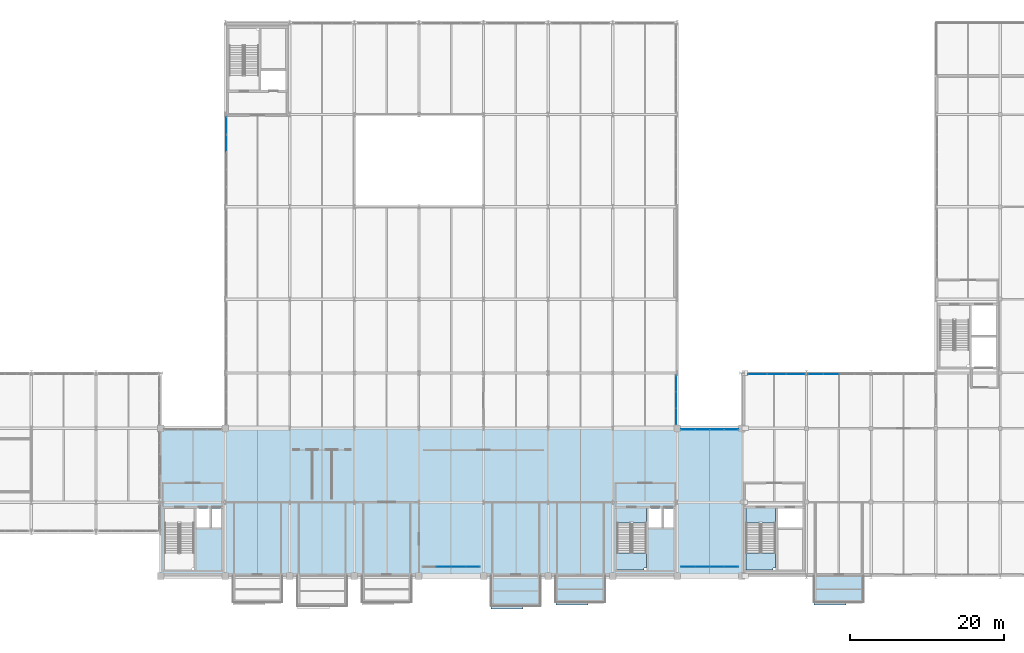
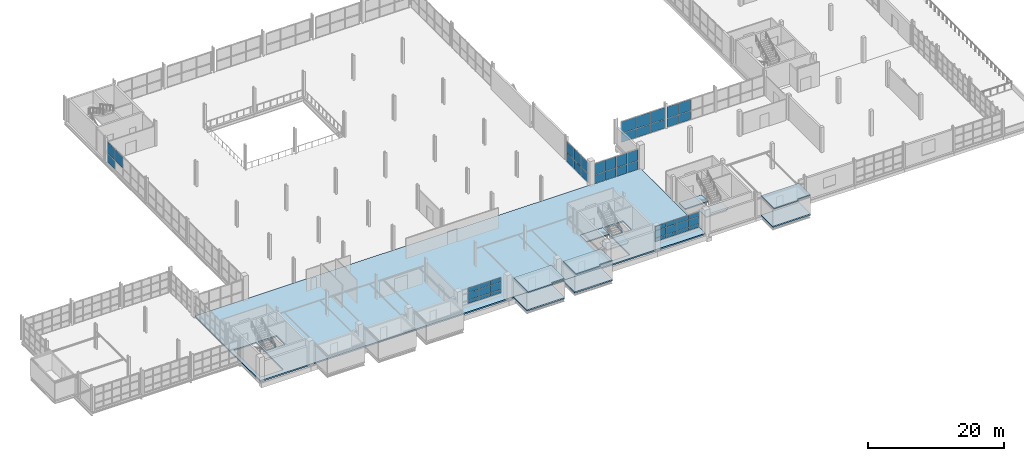
# One storey, part 88 of 109: 48 plates, 11 slabs, 9 elements without a shape of their own.
"""IFC4 building model written with IfcOpenShell, lengths in metres."""

from ifc_helpers import new_model, si_unit, direction, frame, origin, origin_2d, place, context, subcontext, project, spatial, polyline, rectangle, outline, extrude, material, layer, layer_set, type_object, element, aggregate, save


model = new_model("IFC4")

# Units and contexts
model_context = context("Model", 3, precision=1e-05, world=origin(), true_north=direction((0.0, 1.0)))
body_context = subcontext(model_context, "Body", "Model", "MODEL_VIEW")
ifc_project = project(units=[si_unit("LENGTHUNIT", "METRE"), si_unit("AREAUNIT", "SQUARE_METRE"), si_unit("VOLUMEUNIT", "CUBIC_METRE"), si_unit("PLANEANGLEUNIT", "RADIAN"), si_unit("MASSUNIT", "GRAM", prefix="KILO")], contexts=[model_context])

# Site, building, storey
site_placement = place(None, origin())
site = spatial("IfcSite", under=ifc_project, at=site_placement, CompositionType="ELEMENT")
building_placement = place(site_placement, origin())
building = spatial("IfcBuilding", under=site, at=building_placement, Name="Veltarok Museum of Natural Sciences", CompositionType="ELEMENT")
storey_placement = place(building_placement, frame((0.0, 0.0, 17.39990234375)))
storey = spatial("IfcBuildingStorey", under=building, at=storey_placement, Name="L03", CompositionType="ELEMENT", Elevation=17.39990234375)

# Slabs
ifc_material_1 = material(Name="Concrete C35/45", Category="concrete")
ifc_layer_1 = layer(ifc_material_1, 0.199951171875)
ifc_layer_set_1 = layer_set([ifc_layer_1], Name="Concrete C35/45")
slab_type_1 = type_object("IfcSlabType", Name="Cantilevered Cabinet Box Roof Slab 200", PredefinedType="ROOF", material=ifc_layer_set_1)
slab_1_placement = place(storey_placement, frame((0.0, 0.0, 3.25)))
element("IfcSlab", 1, at=slab_1_placement, inside=storey, type_object=slab_type_1, Name="Cabinet Box Roof Slab DB-16", PredefinedType="ROOF", context=body_context, shape_type="SweptSolid", body=[
    extrude(outline(polyline([(74.60009765625, -4.280029296875), (78.760009765625, -4.280029296875), (78.760009765625, -3.89990234375), (81.0, -3.89990234375), (81.0, 0.0), (74.60009765625, 0.0), (74.60009765625, -4.280029296875)])), origin(), (0.0, 0.0, 1.0), 0.2001953125),
])
slab_2_placement = place(storey_placement, frame((0.0, 0.0, 3.25)))
element("IfcSlab", 2, at=slab_2_placement, inside=storey, type_object=slab_type_1, Name="Cabinet Box Roof Slab DB-17", PredefinedType="ROOF", context=body_context, shape_type="SweptSolid", body=[
    extrude(outline(polyline([(83.0, -3.780029296875), (87.159912109375, -3.780029296875), (87.159912109375, -3.39990234375), (89.39990234375, -3.39990234375), (89.39990234375, 0.0), (83.0, 0.0), (83.0, -3.780029296875)])), origin(), (0.0, 0.0, 1.0), 0.2001953125),
])
slab_3_placement = place(storey_placement, frame((0.0, 0.0, 3.25)))
element("IfcSlab", 3, at=slab_3_placement, inside=storey, type_object=slab_type_1, Name="Cabinet Box Roof Slab DB-18", PredefinedType="ROOF", context=body_context, shape_type="SweptSolid", body=[
    extrude(outline(polyline([(116.60009765625, -3.780029296875), (120.760009765625, -3.780029296875), (120.760009765625, -3.39990234375), (123.0, -3.39990234375), (123.0, 0.0), (116.60009765625, 0.0), (116.60009765625, -3.780029296875)])), origin(), (0.0, 0.0, 1.0), 0.2001953125),
])
ifc_layer_2 = layer(ifc_material_1, 0.199951171875)
ifc_layer_set_2 = layer_set([ifc_layer_2], Name="Concrete C35/45")
slab_type_2 = type_object("IfcSlabType", Name="Protected Stair Intermediate Landing Slab 200", PredefinedType="LANDING", material=ifc_layer_set_2)
slab_4_placement = place(storey_placement, frame((0.0, 0.0, -0.199951171875)))
element("IfcSlab", 4, at=slab_4_placement, inside=storey, type_object=slab_type_2, Name="Stairwell Floor Landing ST-02 L03", PredefinedType="LANDING", context=body_context, shape_type="SweptSolid", body=[
    extrude(outline(polyline([(90.909912109375, 6.89990234375), (94.7900390625, 6.89990234375), (94.7900390625, 8.820068359375), (90.909912109375, 8.820068359375), (90.909912109375, 6.89990234375)])), origin(), (0.0, 0.0, 1.0), 0.199951171875),
])

# Stair, slab
ifc_material_2 = material(Name="Precast concrete C40/50", Category="concrete")
stair_type = type_object("IfcStairType", Name="Protected Half-Turn Escape Stair H4500", PredefinedType="HALF_TURN_STAIR", material=ifc_material_2)
stair_1_placement = place(storey_placement, origin())
stair_1 = element("IfcStair", 5, at=stair_1_placement, inside=storey, type_object=stair_type, Name="Protected Escape Stair ST-02-L03", PredefinedType="HALF_TURN_STAIR")
slab_5_placement = place(storey_placement, frame((0.0, 0.0, 2.050048828125)))
slab_5 = element("IfcSlab", 6, at=slab_5_placement, type_object=slab_type_2, Name="ST-02-L03 landing 1", PredefinedType="LANDING", context=body_context, shape_type="SweptSolid", body=[
    extrude(outline(polyline([(90.909912109375, 0.780029296875), (94.469970703125, 0.780029296875), (94.469970703125, 1.02001953125), (94.7900390625, 1.02001953125), (94.7900390625, 3.0), (90.909912109375, 3.0), (90.909912109375, 0.780029296875)])), origin(), (0.0, 0.0, 1.0), 0.199951171875),
])
aggregate(stair_1, [slab_5])

# Slab
slab_6_placement = place(storey_placement, frame((0.0, 0.0, -0.199951171875)))
element("IfcSlab", 7, at=slab_6_placement, inside=storey, type_object=slab_type_2, Name="Stairwell Floor Landing ST-04 L03", PredefinedType="LANDING", context=body_context, shape_type="SweptSolid", body=[
    extrude(outline(polyline([(107.7099609375, 6.89990234375), (111.590087890625, 6.89990234375), (111.590087890625, 8.820068359375), (107.7099609375, 8.820068359375), (107.7099609375, 6.89990234375)])), origin(), (0.0, 0.0, 1.0), 0.199951171875),
])

# Stair, slab
stair_2_placement = place(storey_placement, origin())
stair_2 = element("IfcStair", 8, at=stair_2_placement, inside=storey, type_object=stair_type, Name="Protected Escape Stair ST-04-L03", PredefinedType="HALF_TURN_STAIR")
slab_7_placement = place(storey_placement, frame((0.0, 0.0, 2.050048828125)))
slab_7 = element("IfcSlab", 9, at=slab_7_placement, type_object=slab_type_2, Name="ST-04-L03 landing 1", PredefinedType="LANDING", context=body_context, shape_type="SweptSolid", body=[
    extrude(outline(polyline([(107.7099609375, 0.780029296875), (111.27001953125, 0.780029296875), (111.27001953125, 1.02001953125), (111.590087890625, 1.02001953125), (111.590087890625, 3.0), (107.7099609375, 3.0), (107.7099609375, 0.780029296875)])), origin(), (0.0, 0.0, 1.0), 0.199951171875),
])
aggregate(stair_2, [slab_7])

# Slabs
ifc_layer_3 = layer(ifc_material_1, 0.25)
ifc_layer_set_3 = layer_set([ifc_layer_3], Name="Concrete C35/45")
slab_type_3 = type_object("IfcSlabType", Name="Suspended Museum Floor Slab 250", PredefinedType="FLOOR", material=ifc_layer_set_3)
slab_8_placement = place(storey_placement, frame((0.0, 0.0, -0.25)))
element("IfcSlab", 10, at=slab_8_placement, inside=storey, type_object=slab_type_3, Name="Floor Slab L03 V1", PredefinedType="FLOOR", context=body_context, shape_type="SweptSolid", body=[
    extrude(outline(polyline([(31.60009765625, 0.0), (31.60009765625, 19.199951171875), (107.175048828125, 19.199951171875), (107.175048828125, 0.0), (31.60009765625, 0.0)]), holes=[polyline([(32.1298828125, 8.800048828125), (32.1298828125, 0.800048828125), (35.969970703125, 0.800048828125), (35.969970703125, 8.800048828125), (32.1298828125, 8.800048828125)]), polyline([(94.77001953125, 8.800048828125), (90.929931640625, 8.800048828125), (90.929931640625, 0.800048828125), (94.77001953125, 0.800048828125), (94.77001953125, 8.800048828125)]), polyline([(37.989990234375, 8.800048828125), (36.27001953125, 8.800048828125), (36.27001953125, 6.300048828125), (37.989990234375, 6.300048828125), (37.989990234375, 8.800048828125)]), polyline([(39.469970703125, 8.800048828125), (38.239990234375, 8.800048828125), (38.239990234375, 6.300048828125), (39.469970703125, 6.300048828125), (39.469970703125, 8.800048828125)]), polyline([(96.7900390625, 8.800048828125), (95.070068359375, 8.800048828125), (95.070068359375, 6.300048828125), (96.7900390625, 6.300048828125), (96.7900390625, 8.800048828125)]), polyline([(98.27001953125, 8.800048828125), (97.0400390625, 8.800048828125), (97.0400390625, 6.300048828125), (98.27001953125, 6.300048828125), (98.27001953125, 8.800048828125)])]), origin(), (0.0, 0.0, 1.0), 0.25),
])
slab_9_placement = place(storey_placement, frame((0.0, 0.0, -0.25)))
element("IfcSlab", 11, at=slab_9_placement, inside=storey, type_object=slab_type_3, Name="Cabinet Box Floor Slab DB-16", PredefinedType="FLOOR", context=body_context, shape_type="SweptSolid", body=[
    extrude(outline(polyline([(74.60009765625, -3.89990234375), (81.0, -3.89990234375), (81.0, 0.0), (74.60009765625, 0.0), (74.60009765625, -3.89990234375)])), origin(), (0.0, 0.0, 1.0), 0.25),
])
slab_10_placement = place(storey_placement, frame((0.0, 0.0, -0.25)))
element("IfcSlab", 12, at=slab_10_placement, inside=storey, type_object=slab_type_3, Name="Cabinet Box Floor Slab DB-17", PredefinedType="FLOOR", context=body_context, shape_type="SweptSolid", body=[
    extrude(outline(polyline([(83.0, -3.39990234375), (89.39990234375, -3.39990234375), (89.39990234375, 0.0), (83.0, 0.0), (83.0, -3.39990234375)])), origin(), (0.0, 0.0, 1.0), 0.25),
])
slab_11_placement = place(storey_placement, frame((0.0, 0.0, -0.25)))
element("IfcSlab", 13, at=slab_11_placement, inside=storey, type_object=slab_type_3, Name="Cabinet Box Floor Slab DB-18", PredefinedType="FLOOR", context=body_context, shape_type="SweptSolid", body=[
    extrude(outline(polyline([(116.60009765625, -3.39990234375), (123.0, -3.39990234375), (123.0, 0.0), (116.60009765625, 0.0), (116.60009765625, -3.39990234375)])), origin(), (0.0, 0.0, 1.0), 0.25),
])

# Curtain wall, plates
ifc_material_3 = material(Name="Low-iron triple insulated glass", Category="glass")
curtain_wall_type_1 = type_object("IfcCurtainWallType", Name="Curtain Wall System CW-CAB-L03-A-755x288 (V1 Recessed L03 755x288cm)", PredefinedType="NOTDEFINED", material=ifc_material_3)
curtain_wall_1_placement = place(storey_placement, origin())
curtain_wall_1 = element("IfcCurtainWall", 14, at=curtain_wall_1_placement, inside=storey, type_object=curtain_wall_type_1, Name="Curtain Wall CW-CAB-L03-A-755x288 CW-0005", PredefinedType="NOTDEFINED")
ifc_layer_4 = layer(ifc_material_3, 0.028076171875)
ifc_layer_set_4 = layer_set([ifc_layer_4], Name="Low-iron triple insulated glass")
plate_type = type_object("IfcPlateType", Name="Triple Low-Iron Glazed Vision Panel 28", PredefinedType="CURTAIN_PANEL", material=ifc_layer_set_4)
plate_1_placement = place(storey_placement, frame((68.456298828125, 1.199951171875, 0.52001953125), z_axis=(0.0, 0.0, 1.0), x_axis=(1.0, 0.0, 0.0)))
plate_1 = element("IfcPlate", 15, at=plate_1_placement, type_object=plate_type, Name="CW-CAB-L03-A-755x288 panel 2.1", PredefinedType="CURTAIN_PANEL", context=body_context, shape_type="SweptSolid", body=[
    extrude(rectangle(XDim=1.827392578125, YDim=0.028076171875, at=origin_2d()), origin(), (0.0, 0.0, 1.0), 0.550048828125),
])
plate_2_placement = place(storey_placement, frame((68.456298828125, 1.199951171875, 1.130126953125), z_axis=(0.0, 0.0, 1.0), x_axis=(1.0, 0.0, 0.0)))
plate_2 = element("IfcPlate", 16, at=plate_2_placement, type_object=plate_type, Name="CW-CAB-L03-A-755x288 panel 2.2", PredefinedType="CURTAIN_PANEL", context=body_context, shape_type="SweptSolid", body=[
    extrude(rectangle(XDim=1.827392578125, YDim=0.028076171875, at=origin_2d()), origin(), (0.0, 0.0, 1.0), 1.2900390625),
])
plate_3_placement = place(storey_placement, frame((68.456298828125, 1.199951171875, 2.480224609375), z_axis=(0.0, 0.0, 1.0), x_axis=(1.0, 0.0, 0.0)))
plate_3 = element("IfcPlate", 17, at=plate_3_placement, type_object=plate_type, Name="CW-CAB-L03-A-755x288 panel 2.3", PredefinedType="CURTAIN_PANEL", context=body_context, shape_type="SweptSolid", body=[
    extrude(rectangle(XDim=1.827392578125, YDim=0.028076171875, at=origin_2d()), origin(), (0.0, 0.0, 1.0), 0.794921875),
])
plate_4_placement = place(storey_placement, frame((70.34375, 1.199951171875, 0.52001953125), z_axis=(0.0, 0.0, 1.0), x_axis=(1.0, 0.0, 0.0)))
plate_4 = element("IfcPlate", 18, at=plate_4_placement, type_object=plate_type, Name="CW-CAB-L03-A-755x288 panel 3.1", PredefinedType="CURTAIN_PANEL", context=body_context, shape_type="SweptSolid", body=[
    extrude(rectangle(XDim=1.827392578125, YDim=0.028076171875, at=origin_2d()), origin(), (0.0, 0.0, 1.0), 0.550048828125),
])
plate_5_placement = place(storey_placement, frame((70.34375, 1.199951171875, 1.130126953125), z_axis=(0.0, 0.0, 1.0), x_axis=(1.0, 0.0, 0.0)))
plate_5 = element("IfcPlate", 19, at=plate_5_placement, type_object=plate_type, Name="CW-CAB-L03-A-755x288 panel 3.2", PredefinedType="CURTAIN_PANEL", context=body_context, shape_type="SweptSolid", body=[
    extrude(rectangle(XDim=1.827392578125, YDim=0.028076171875, at=origin_2d()), origin(), (0.0, 0.0, 1.0), 1.2900390625),
])
plate_6_placement = place(storey_placement, frame((70.34375, 1.199951171875, 2.480224609375), z_axis=(0.0, 0.0, 1.0), x_axis=(1.0, 0.0, 0.0)))
plate_6 = element("IfcPlate", 20, at=plate_6_placement, type_object=plate_type, Name="CW-CAB-L03-A-755x288 panel 3.3", PredefinedType="CURTAIN_PANEL", context=body_context, shape_type="SweptSolid", body=[
    extrude(rectangle(XDim=1.827392578125, YDim=0.028076171875, at=origin_2d()), origin(), (0.0, 0.0, 1.0), 0.794921875),
])
plate_7_placement = place(storey_placement, frame((72.21630859375, 1.199951171875, 0.52001953125), z_axis=(0.0, 0.0, 1.0), x_axis=(1.0, 0.0, 0.0)))
plate_7 = element("IfcPlate", 21, at=plate_7_placement, type_object=plate_type, Name="CW-CAB-L03-A-755x288 panel 4.1", PredefinedType="CURTAIN_PANEL", context=body_context, shape_type="SweptSolid", body=[
    extrude(rectangle(XDim=1.797607421875, YDim=0.028076171875, at=origin_2d()), origin(), (0.0, 0.0, 1.0), 0.550048828125),
])
plate_8_placement = place(storey_placement, frame((72.21630859375, 1.199951171875, 1.130126953125), z_axis=(0.0, 0.0, 1.0), x_axis=(1.0, 0.0, 0.0)))
plate_8 = element("IfcPlate", 22, at=plate_8_placement, type_object=plate_type, Name="CW-CAB-L03-A-755x288 panel 4.2", PredefinedType="CURTAIN_PANEL", context=body_context, shape_type="SweptSolid", body=[
    extrude(rectangle(XDim=1.797607421875, YDim=0.028076171875, at=origin_2d()), origin(), (0.0, 0.0, 1.0), 1.2900390625),
])
plate_9_placement = place(storey_placement, frame((72.21630859375, 1.199951171875, 2.480224609375), z_axis=(0.0, 0.0, 1.0), x_axis=(1.0, 0.0, 0.0)))
plate_9 = element("IfcPlate", 23, at=plate_9_placement, type_object=plate_type, Name="CW-CAB-L03-A-755x288 panel 4.3", PredefinedType="CURTAIN_PANEL", context=body_context, shape_type="SweptSolid", body=[
    extrude(rectangle(XDim=1.797607421875, YDim=0.028076171875, at=origin_2d()), origin(), (0.0, 0.0, 1.0), 0.794921875),
])
aggregate(curtain_wall_1, [plate_1, plate_2, plate_3, plate_4, plate_5, plate_6, plate_7, plate_8, plate_9])

curtain_wall_2_placement = place(storey_placement, origin())
curtain_wall_2 = element("IfcCurtainWall", 24, at=curtain_wall_2_placement, inside=storey, type_object=curtain_wall_type_1, Name="Curtain Wall CW-CAB-L03-A-755x288 CW-0006", PredefinedType="NOTDEFINED")
plate_10_placement = place(storey_placement, frame((100.183837890625, 1.199951171875, 0.52001953125), z_axis=(0.0, 0.0, 1.0), x_axis=(1.0, 0.0, 0.0)))
plate_10 = element("IfcPlate", 25, at=plate_10_placement, type_object=plate_type, Name="CW-CAB-L03-A-755x288 panel 1.1", PredefinedType="CURTAIN_PANEL", context=body_context, shape_type="SweptSolid", body=[
    extrude(rectangle(XDim=1.797607421875, YDim=0.028076171875, at=origin_2d()), origin(), (0.0, 0.0, 1.0), 0.550048828125),
])
plate_11_placement = place(storey_placement, frame((100.183837890625, 1.199951171875, 1.130126953125), z_axis=(0.0, 0.0, 1.0), x_axis=(1.0, 0.0, 0.0)))
plate_11 = element("IfcPlate", 26, at=plate_11_placement, type_object=plate_type, Name="CW-CAB-L03-A-755x288 panel 1.2", PredefinedType="CURTAIN_PANEL", context=body_context, shape_type="SweptSolid", body=[
    extrude(rectangle(XDim=1.797607421875, YDim=0.028076171875, at=origin_2d()), origin(), (0.0, 0.0, 1.0), 1.2900390625),
])
plate_12_placement = place(storey_placement, frame((100.183837890625, 1.199951171875, 2.480224609375), z_axis=(0.0, 0.0, 1.0), x_axis=(1.0, 0.0, 0.0)))
plate_12 = element("IfcPlate", 27, at=plate_12_placement, type_object=plate_type, Name="CW-CAB-L03-A-755x288 panel 1.3", PredefinedType="CURTAIN_PANEL", context=body_context, shape_type="SweptSolid", body=[
    extrude(rectangle(XDim=1.797607421875, YDim=0.028076171875, at=origin_2d()), origin(), (0.0, 0.0, 1.0), 0.794921875),
])
plate_13_placement = place(storey_placement, frame((102.05615234375, 1.199951171875, 0.52001953125), z_axis=(0.0, 0.0, 1.0), x_axis=(1.0, 0.0, 0.0)))
plate_13 = element("IfcPlate", 28, at=plate_13_placement, type_object=plate_type, Name="CW-CAB-L03-A-755x288 panel 2.1", PredefinedType="CURTAIN_PANEL", context=body_context, shape_type="SweptSolid", body=[
    extrude(rectangle(XDim=1.827392578125, YDim=0.028076171875, at=origin_2d()), origin(), (0.0, 0.0, 1.0), 0.550048828125),
])
plate_14_placement = place(storey_placement, frame((102.05615234375, 1.199951171875, 1.130126953125), z_axis=(0.0, 0.0, 1.0), x_axis=(1.0, 0.0, 0.0)))
plate_14 = element("IfcPlate", 29, at=plate_14_placement, type_object=plate_type, Name="CW-CAB-L03-A-755x288 panel 2.2", PredefinedType="CURTAIN_PANEL", context=body_context, shape_type="SweptSolid", body=[
    extrude(rectangle(XDim=1.827392578125, YDim=0.028076171875, at=origin_2d()), origin(), (0.0, 0.0, 1.0), 1.2900390625),
])
plate_15_placement = place(storey_placement, frame((102.05615234375, 1.199951171875, 2.480224609375), z_axis=(0.0, 0.0, 1.0), x_axis=(1.0, 0.0, 0.0)))
plate_15 = element("IfcPlate", 30, at=plate_15_placement, type_object=plate_type, Name="CW-CAB-L03-A-755x288 panel 2.3", PredefinedType="CURTAIN_PANEL", context=body_context, shape_type="SweptSolid", body=[
    extrude(rectangle(XDim=1.827392578125, YDim=0.028076171875, at=origin_2d()), origin(), (0.0, 0.0, 1.0), 0.794921875),
])
plate_16_placement = place(storey_placement, frame((103.94384765625, 1.199951171875, 0.52001953125), z_axis=(0.0, 0.0, 1.0), x_axis=(1.0, 0.0, 0.0)))
plate_16 = element("IfcPlate", 31, at=plate_16_placement, type_object=plate_type, Name="CW-CAB-L03-A-755x288 panel 3.1", PredefinedType="CURTAIN_PANEL", context=body_context, shape_type="SweptSolid", body=[
    extrude(rectangle(XDim=1.827392578125, YDim=0.028076171875, at=origin_2d()), origin(), (0.0, 0.0, 1.0), 0.550048828125),
])
plate_17_placement = place(storey_placement, frame((103.94384765625, 1.199951171875, 1.130126953125), z_axis=(0.0, 0.0, 1.0), x_axis=(1.0, 0.0, 0.0)))
plate_17 = element("IfcPlate", 32, at=plate_17_placement, type_object=plate_type, Name="CW-CAB-L03-A-755x288 panel 3.2", PredefinedType="CURTAIN_PANEL", context=body_context, shape_type="SweptSolid", body=[
    extrude(rectangle(XDim=1.827392578125, YDim=0.028076171875, at=origin_2d()), origin(), (0.0, 0.0, 1.0), 1.2900390625),
])
plate_18_placement = place(storey_placement, frame((103.94384765625, 1.199951171875, 2.480224609375), z_axis=(0.0, 0.0, 1.0), x_axis=(1.0, 0.0, 0.0)))
plate_18 = element("IfcPlate", 33, at=plate_18_placement, type_object=plate_type, Name="CW-CAB-L03-A-755x288 panel 3.3", PredefinedType="CURTAIN_PANEL", context=body_context, shape_type="SweptSolid", body=[
    extrude(rectangle(XDim=1.827392578125, YDim=0.028076171875, at=origin_2d()), origin(), (0.0, 0.0, 1.0), 0.794921875),
])
plate_19_placement = place(storey_placement, frame((105.816162109375, 1.199951171875, 0.52001953125), z_axis=(0.0, 0.0, 1.0), x_axis=(1.0, 0.0, 0.0)))
plate_19 = element("IfcPlate", 34, at=plate_19_placement, type_object=plate_type, Name="CW-CAB-L03-A-755x288 panel 4.1", PredefinedType="CURTAIN_PANEL", context=body_context, shape_type="SweptSolid", body=[
    extrude(rectangle(XDim=1.797607421875, YDim=0.028076171875, at=origin_2d()), origin(), (0.0, 0.0, 1.0), 0.550048828125),
])
plate_20_placement = place(storey_placement, frame((105.816162109375, 1.199951171875, 1.130126953125), z_axis=(0.0, 0.0, 1.0), x_axis=(1.0, 0.0, 0.0)))
plate_20 = element("IfcPlate", 35, at=plate_20_placement, type_object=plate_type, Name="CW-CAB-L03-A-755x288 panel 4.2", PredefinedType="CURTAIN_PANEL", context=body_context, shape_type="SweptSolid", body=[
    extrude(rectangle(XDim=1.797607421875, YDim=0.028076171875, at=origin_2d()), origin(), (0.0, 0.0, 1.0), 1.2900390625),
])
plate_21_placement = place(storey_placement, frame((105.816162109375, 1.199951171875, 2.480224609375), z_axis=(0.0, 0.0, 1.0), x_axis=(1.0, 0.0, 0.0)))
plate_21 = element("IfcPlate", 36, at=plate_21_placement, type_object=plate_type, Name="CW-CAB-L03-A-755x288 panel 4.3", PredefinedType="CURTAIN_PANEL", context=body_context, shape_type="SweptSolid", body=[
    extrude(rectangle(XDim=1.797607421875, YDim=0.028076171875, at=origin_2d()), origin(), (0.0, 0.0, 1.0), 0.794921875),
])
aggregate(curtain_wall_2, [plate_10, plate_11, plate_12, plate_13, plate_14, plate_15, plate_16, plate_17, plate_18, plate_19, plate_20, plate_21])

curtain_wall_type_2 = type_object("IfcCurtainWallType", Name="Curtain Wall System CW-V2E-L03-2-645x378 (CW-V2E L03 645x378cm)", PredefinedType="NOTDEFINED", material=ifc_material_3)
curtain_wall_3_placement = place(storey_placement, origin())
curtain_wall_3 = element("IfcCurtainWall", 37, at=curtain_wall_3_placement, inside=storey, type_object=curtain_wall_type_2, Name="Curtain Wall CW-V2E-L03-2-645x378 CW-0134", PredefinedType="NOTDEFINED")
plate_22_placement = place(storey_placement, frame((98.64990234375, 20.739990234375, 0.05810546875), z_axis=(0.0, 0.0, 1.0), x_axis=(0.0, 1.0, 0.0)))
plate_22 = element("IfcPlate", 38, at=plate_22_placement, type_object=plate_type, Name="CW-V2E-L03-2-645x378 panel 1.1", PredefinedType="CURTAIN_PANEL", context=body_context, shape_type="SweptSolid", body=[
    extrude(rectangle(XDim=2.06005859375, YDim=0.028076171875, at=origin_2d()), origin(), (0.0, 0.0, 1.0), 1.56005859375),
])
plate_23_placement = place(storey_placement, frame((98.64990234375, 20.739990234375, 1.67822265625), z_axis=(0.0, 0.0, 1.0), x_axis=(0.0, 1.0, 0.0)))
plate_23 = element("IfcPlate", 39, at=plate_23_placement, type_object=plate_type, Name="CW-V2E-L03-2-645x378 panel 1.2", PredefinedType="CURTAIN_PANEL", context=body_context, shape_type="SweptSolid", body=[
    extrude(rectangle(XDim=2.06005859375, YDim=0.028076171875, at=origin_2d()), origin(), (0.0, 0.0, 1.0), 2.0419921875),
])
plate_24_placement = place(storey_placement, frame((98.64990234375, 22.875, 0.05810546875), z_axis=(0.0, 0.0, 1.0), x_axis=(0.0, 1.0, 0.0)))
plate_24 = element("IfcPlate", 40, at=plate_24_placement, type_object=plate_type, Name="CW-V2E-L03-2-645x378 panel 2.1", PredefinedType="CURTAIN_PANEL", context=body_context, shape_type="SweptSolid", body=[
    extrude(rectangle(XDim=2.090087890625, YDim=0.028076171875, at=origin_2d()), origin(), (0.0, 0.0, 1.0), 1.56005859375),
])
plate_25_placement = place(storey_placement, frame((98.64990234375, 22.875, 1.67822265625), z_axis=(0.0, 0.0, 1.0), x_axis=(0.0, 1.0, 0.0)))
plate_25 = element("IfcPlate", 41, at=plate_25_placement, type_object=plate_type, Name="CW-V2E-L03-2-645x378 panel 2.2", PredefinedType="CURTAIN_PANEL", context=body_context, shape_type="SweptSolid", body=[
    extrude(rectangle(XDim=2.090087890625, YDim=0.028076171875, at=origin_2d()), origin(), (0.0, 0.0, 1.0), 2.0419921875),
])
plate_26_placement = place(storey_placement, frame((98.64990234375, 25.010009765625, 0.05810546875), z_axis=(0.0, 0.0, 1.0), x_axis=(0.0, 1.0, 0.0)))
plate_26 = element("IfcPlate", 42, at=plate_26_placement, type_object=plate_type, Name="CW-V2E-L03-2-645x378 panel 3.1", PredefinedType="CURTAIN_PANEL", context=body_context, shape_type="SweptSolid", body=[
    extrude(rectangle(XDim=2.06005859375, YDim=0.028076171875, at=origin_2d()), origin(), (0.0, 0.0, 1.0), 1.56005859375),
])
plate_27_placement = place(storey_placement, frame((98.64990234375, 25.010009765625, 1.67822265625), z_axis=(0.0, 0.0, 1.0), x_axis=(0.0, 1.0, 0.0)))
plate_27 = element("IfcPlate", 43, at=plate_27_placement, type_object=plate_type, Name="CW-V2E-L03-2-645x378 panel 3.2", PredefinedType="CURTAIN_PANEL", context=body_context, shape_type="SweptSolid", body=[
    extrude(rectangle(XDim=2.06005859375, YDim=0.028076171875, at=origin_2d()), origin(), (0.0, 0.0, 1.0), 2.0419921875),
])
aggregate(curtain_wall_3, [plate_22, plate_23, plate_24, plate_25, plate_26, plate_27])

curtain_wall_type_3 = type_object("IfcCurtainWallType", Name="Curtain Wall System CW-V2W-L03-2-1140x378 (CW-V2W L03 1140x378cm)", PredefinedType="NOTDEFINED", material=ifc_material_3)
curtain_wall_4_placement = place(storey_placement, origin())
curtain_wall_4 = element("IfcCurtainWall", 44, at=curtain_wall_4_placement, inside=storey, type_object=curtain_wall_type_3, Name="Curtain Wall CW-V2W-L03-2-1140x378 CW-0146", PredefinedType="NOTDEFINED")
plate_28_placement = place(storey_placement, frame((40.14990234375, 56.280029296875, 1.67822265625), z_axis=(0.0, 0.0, 1.0), x_axis=(0.0, 1.0, 0.0)))
plate_28 = element("IfcPlate", 45, at=plate_28_placement, type_object=plate_type, Name="CW-V2W-L03-2-1140x378 panel 4.2", PredefinedType="CURTAIN_PANEL", context=body_context, shape_type="SweptSolid", body=[
    extrude(rectangle(XDim=2.219970703125, YDim=0.028076171875, at=origin_2d()), origin(), (0.0, 0.0, 1.0), 2.0419921875),
])
plate_29_placement = place(storey_placement, frame((40.14990234375, 58.544921875, 0.05810546875), z_axis=(0.0, 0.0, 1.0), x_axis=(0.0, 1.0, 0.0)))
plate_29 = element("IfcPlate", 46, at=plate_29_placement, type_object=plate_type, Name="CW-V2W-L03-2-1140x378 panel 5.1", PredefinedType="CURTAIN_PANEL", context=body_context, shape_type="SweptSolid", body=[
    extrude(rectangle(XDim=2.18994140625, YDim=0.028076171875, at=origin_2d()), origin(), (0.0, 0.0, 1.0), 1.56005859375),
])
plate_30_placement = place(storey_placement, frame((40.14990234375, 58.544921875, 1.67822265625), z_axis=(0.0, 0.0, 1.0), x_axis=(0.0, 1.0, 0.0)))
plate_30 = element("IfcPlate", 47, at=plate_30_placement, type_object=plate_type, Name="CW-V2W-L03-2-1140x378 panel 5.2", PredefinedType="CURTAIN_PANEL", context=body_context, shape_type="SweptSolid", body=[
    extrude(rectangle(XDim=2.18994140625, YDim=0.028076171875, at=origin_2d()), origin(), (0.0, 0.0, 1.0), 2.0419921875),
])
aggregate(curtain_wall_4, [plate_28, plate_29, plate_30])

curtain_wall_type_4 = type_object("IfcCurtainWallType", Name="Curtain Wall System CW-V1CN-L03-3-755x373 (CW-V1CN L03 755x373cm)", PredefinedType="NOTDEFINED", material=ifc_material_3)
curtain_wall_5_placement = place(storey_placement, origin())
curtain_wall_5 = element("IfcCurtainWall", 48, at=curtain_wall_5_placement, inside=storey, type_object=curtain_wall_type_4, Name="Curtain Wall CW-V1CN-L03-3-755x373 CW-0159", PredefinedType="NOTDEFINED")
plate_31_placement = place(storey_placement, frame((105.816162109375, 19.050048828125, 0.05810546875), z_axis=(0.0, 0.0, 1.0), x_axis=(-1.0, 0.0, 0.0)))
plate_31 = element("IfcPlate", 49, at=plate_31_placement, type_object=plate_type, Name="CW-V1CN-L03-3-755x373 panel 1.1", PredefinedType="CURTAIN_PANEL", context=body_context, shape_type="SweptSolid", body=[
    extrude(rectangle(XDim=1.797607421875, YDim=0.028076171875, at=origin_2d()), origin(), (0.0, 0.0, 1.0), 1.56005859375),
])
plate_32_placement = place(storey_placement, frame((105.816162109375, 19.050048828125, 1.67822265625), z_axis=(0.0, 0.0, 1.0), x_axis=(-1.0, 0.0, 0.0)))
plate_32 = element("IfcPlate", 50, at=plate_32_placement, type_object=plate_type, Name="CW-V1CN-L03-3-755x373 panel 1.2", PredefinedType="CURTAIN_PANEL", context=body_context, shape_type="SweptSolid", body=[
    extrude(rectangle(XDim=1.797607421875, YDim=0.028076171875, at=origin_2d()), origin(), (0.0, 0.0, 1.0), 1.991943359375),
])
plate_33_placement = place(storey_placement, frame((103.94384765625, 19.050048828125, 0.05810546875), z_axis=(0.0, 0.0, 1.0), x_axis=(-1.0, 0.0, 0.0)))
plate_33 = element("IfcPlate", 51, at=plate_33_placement, type_object=plate_type, Name="CW-V1CN-L03-3-755x373 panel 2.1", PredefinedType="CURTAIN_PANEL", context=body_context, shape_type="SweptSolid", body=[
    extrude(rectangle(XDim=1.827392578125, YDim=0.028076171875, at=origin_2d()), origin(), (0.0, 0.0, 1.0), 1.56005859375),
])
plate_34_placement = place(storey_placement, frame((103.94384765625, 19.050048828125, 1.67822265625), z_axis=(0.0, 0.0, 1.0), x_axis=(-1.0, 0.0, 0.0)))
plate_34 = element("IfcPlate", 52, at=plate_34_placement, type_object=plate_type, Name="CW-V1CN-L03-3-755x373 panel 2.2", PredefinedType="CURTAIN_PANEL", context=body_context, shape_type="SweptSolid", body=[
    extrude(rectangle(XDim=1.827392578125, YDim=0.028076171875, at=origin_2d()), origin(), (0.0, 0.0, 1.0), 1.991943359375),
])
plate_35_placement = place(storey_placement, frame((102.05615234375, 19.050048828125, 0.05810546875), z_axis=(0.0, 0.0, 1.0), x_axis=(-1.0, 0.0, 0.0)))
plate_35 = element("IfcPlate", 53, at=plate_35_placement, type_object=plate_type, Name="CW-V1CN-L03-3-755x373 panel 3.1", PredefinedType="CURTAIN_PANEL", context=body_context, shape_type="SweptSolid", body=[
    extrude(rectangle(XDim=1.827392578125, YDim=0.028076171875, at=origin_2d()), origin(), (0.0, 0.0, 1.0), 1.56005859375),
])
plate_36_placement = place(storey_placement, frame((102.05615234375, 19.050048828125, 1.67822265625), z_axis=(0.0, 0.0, 1.0), x_axis=(-1.0, 0.0, 0.0)))
plate_36 = element("IfcPlate", 54, at=plate_36_placement, type_object=plate_type, Name="CW-V1CN-L03-3-755x373 panel 3.2", PredefinedType="CURTAIN_PANEL", context=body_context, shape_type="SweptSolid", body=[
    extrude(rectangle(XDim=1.827392578125, YDim=0.028076171875, at=origin_2d()), origin(), (0.0, 0.0, 1.0), 1.991943359375),
])
plate_37_placement = place(storey_placement, frame((100.183837890625, 19.050048828125, 0.05810546875), z_axis=(0.0, 0.0, 1.0), x_axis=(-1.0, 0.0, 0.0)))
plate_37 = element("IfcPlate", 55, at=plate_37_placement, type_object=plate_type, Name="CW-V1CN-L03-3-755x373 panel 4.1", PredefinedType="CURTAIN_PANEL", context=body_context, shape_type="SweptSolid", body=[
    extrude(rectangle(XDim=1.797607421875, YDim=0.028076171875, at=origin_2d()), origin(), (0.0, 0.0, 1.0), 1.56005859375),
])
plate_38_placement = place(storey_placement, frame((100.183837890625, 19.050048828125, 1.67822265625), z_axis=(0.0, 0.0, 1.0), x_axis=(-1.0, 0.0, 0.0)))
plate_38 = element("IfcPlate", 56, at=plate_38_placement, type_object=plate_type, Name="CW-V1CN-L03-3-755x373 panel 4.2", PredefinedType="CURTAIN_PANEL", context=body_context, shape_type="SweptSolid", body=[
    extrude(rectangle(XDim=1.797607421875, YDim=0.028076171875, at=origin_2d()), origin(), (0.0, 0.0, 1.0), 1.991943359375),
])
aggregate(curtain_wall_5, [plate_31, plate_32, plate_33, plate_34, plate_35, plate_36, plate_37, plate_38])

curtain_wall_type_5 = type_object("IfcCurtainWallType", Name="Curtain Wall System CW-V5CN-L03-1-747x383 (CW-V5CN L03 747x383cm)", PredefinedType="NOTDEFINED", material=ifc_material_3)
curtain_wall_6_placement = place(storey_placement, origin())
curtain_wall_6 = element("IfcCurtainWall", 57, at=curtain_wall_6_placement, inside=storey, type_object=curtain_wall_type_5, Name="Curtain Wall CW-V5CN-L03-1-747x383 CW-0193", PredefinedType="NOTDEFINED")
plate_39_placement = place(storey_placement, frame((114.18994140625, 26.25, 0.05810546875), z_axis=(0.0, 0.0, 1.0), x_axis=(-1.0, 0.0, 0.0)))
plate_39 = element("IfcPlate", 58, at=plate_39_placement, type_object=plate_type, Name="CW-V5CN-L03-1-747x383 panel 1.1", PredefinedType="CURTAIN_PANEL", context=body_context, shape_type="SweptSolid", body=[
    extrude(rectangle(XDim=2.39990234375, YDim=0.028076171875, at=origin_2d()), origin(), (0.0, 0.0, 1.0), 1.56005859375),
])
plate_40_placement = place(storey_placement, frame((114.18994140625, 26.25, 1.67822265625), z_axis=(0.0, 0.0, 1.0), x_axis=(-1.0, 0.0, 0.0)))
plate_40 = element("IfcPlate", 59, at=plate_40_placement, type_object=plate_type, Name="CW-V5CN-L03-1-747x383 panel 1.2", PredefinedType="CURTAIN_PANEL", context=body_context, shape_type="SweptSolid", body=[
    extrude(rectangle(XDim=2.39990234375, YDim=0.028076171875, at=origin_2d()), origin(), (0.0, 0.0, 1.0), 2.092041015625),
])
plate_41_placement = place(storey_placement, frame((111.715087890625, 26.25, 0.05810546875), z_axis=(0.0, 0.0, 1.0), x_axis=(-1.0, 0.0, 0.0)))
plate_41 = element("IfcPlate", 60, at=plate_41_placement, type_object=plate_type, Name="CW-V5CN-L03-1-747x383 panel 2.1", PredefinedType="CURTAIN_PANEL", context=body_context, shape_type="SweptSolid", body=[
    extrude(rectangle(XDim=2.429931640625, YDim=0.028076171875, at=origin_2d()), origin(), (0.0, 0.0, 1.0), 1.56005859375),
])
plate_42_placement = place(storey_placement, frame((111.715087890625, 26.25, 1.67822265625), z_axis=(0.0, 0.0, 1.0), x_axis=(-1.0, 0.0, 0.0)))
plate_42 = element("IfcPlate", 61, at=plate_42_placement, type_object=plate_type, Name="CW-V5CN-L03-1-747x383 panel 2.2", PredefinedType="CURTAIN_PANEL", context=body_context, shape_type="SweptSolid", body=[
    extrude(rectangle(XDim=2.429931640625, YDim=0.028076171875, at=origin_2d()), origin(), (0.0, 0.0, 1.0), 2.092041015625),
])
plate_43_placement = place(storey_placement, frame((109.239990234375, 26.25, 0.05810546875), z_axis=(0.0, 0.0, 1.0), x_axis=(-1.0, 0.0, 0.0)))
plate_43 = element("IfcPlate", 62, at=plate_43_placement, type_object=plate_type, Name="CW-V5CN-L03-1-747x383 panel 3.1", PredefinedType="CURTAIN_PANEL", context=body_context, shape_type="SweptSolid", body=[
    extrude(rectangle(XDim=2.39990234375, YDim=0.028076171875, at=origin_2d()), origin(), (0.0, 0.0, 1.0), 1.56005859375),
])
plate_44_placement = place(storey_placement, frame((109.239990234375, 26.25, 1.67822265625), z_axis=(0.0, 0.0, 1.0), x_axis=(-1.0, 0.0, 0.0)))
plate_44 = element("IfcPlate", 63, at=plate_44_placement, type_object=plate_type, Name="CW-V5CN-L03-1-747x383 panel 3.2", PredefinedType="CURTAIN_PANEL", context=body_context, shape_type="SweptSolid", body=[
    extrude(rectangle(XDim=2.39990234375, YDim=0.028076171875, at=origin_2d()), origin(), (0.0, 0.0, 1.0), 2.092041015625),
])
aggregate(curtain_wall_6, [plate_39, plate_40, plate_41, plate_42, plate_43, plate_44])

curtain_wall_type_6 = type_object("IfcCurtainWallType", Name="Curtain Wall System CW-V5CN-L03-2-810x378 (CW-V5CN L03 810x378cm)", PredefinedType="NOTDEFINED", material=ifc_material_3)
curtain_wall_7_placement = place(storey_placement, origin())
curtain_wall_7 = element("IfcCurtainWall", 64, at=curtain_wall_7_placement, inside=storey, type_object=curtain_wall_type_6, Name="Curtain Wall CW-V5CN-L03-2-810x378 CW-0194", PredefinedType="NOTDEFINED")
plate_45_placement = place(storey_placement, frame((118.78759765625, 26.25, 0.05810546875), z_axis=(0.0, 0.0, 1.0), x_axis=(-1.0, 0.0, 0.0)))
plate_45 = element("IfcPlate", 65, at=plate_45_placement, type_object=plate_type, Name="CW-V5CN-L03-2-810x378 panel 3.1", PredefinedType="CURTAIN_PANEL", context=body_context, shape_type="SweptSolid", body=[
    extrude(rectangle(XDim=1.965087890625, YDim=0.028076171875, at=origin_2d()), origin(), (0.0, 0.0, 1.0), 1.56005859375),
])
plate_46_placement = place(storey_placement, frame((118.78759765625, 26.25, 1.67822265625), z_axis=(0.0, 0.0, 1.0), x_axis=(-1.0, 0.0, 0.0)))
plate_46 = element("IfcPlate", 66, at=plate_46_placement, type_object=plate_type, Name="CW-V5CN-L03-2-810x378 panel 3.2", PredefinedType="CURTAIN_PANEL", context=body_context, shape_type="SweptSolid", body=[
    extrude(rectangle(XDim=1.965087890625, YDim=0.028076171875, at=origin_2d()), origin(), (0.0, 0.0, 1.0), 2.0419921875),
])
plate_47_placement = place(storey_placement, frame((116.777587890625, 26.25, 0.05810546875), z_axis=(0.0, 0.0, 1.0), x_axis=(-1.0, 0.0, 0.0)))
plate_47 = element("IfcPlate", 67, at=plate_47_placement, type_object=plate_type, Name="CW-V5CN-L03-2-810x378 panel 4.1", PredefinedType="CURTAIN_PANEL", context=body_context, shape_type="SweptSolid", body=[
    extrude(rectangle(XDim=1.93505859375, YDim=0.028076171875, at=origin_2d()), origin(), (0.0, 0.0, 1.0), 1.56005859375),
])
plate_48_placement = place(storey_placement, frame((116.777587890625, 26.25, 1.67822265625), z_axis=(0.0, 0.0, 1.0), x_axis=(-1.0, 0.0, 0.0)))
plate_48 = element("IfcPlate", 68, at=plate_48_placement, type_object=plate_type, Name="CW-V5CN-L03-2-810x378 panel 4.2", PredefinedType="CURTAIN_PANEL", context=body_context, shape_type="SweptSolid", body=[
    extrude(rectangle(XDim=1.93505859375, YDim=0.028076171875, at=origin_2d()), origin(), (0.0, 0.0, 1.0), 2.0419921875),
])
aggregate(curtain_wall_7, [plate_45, plate_46, plate_47, plate_48])

save(model, "model.ifc")
